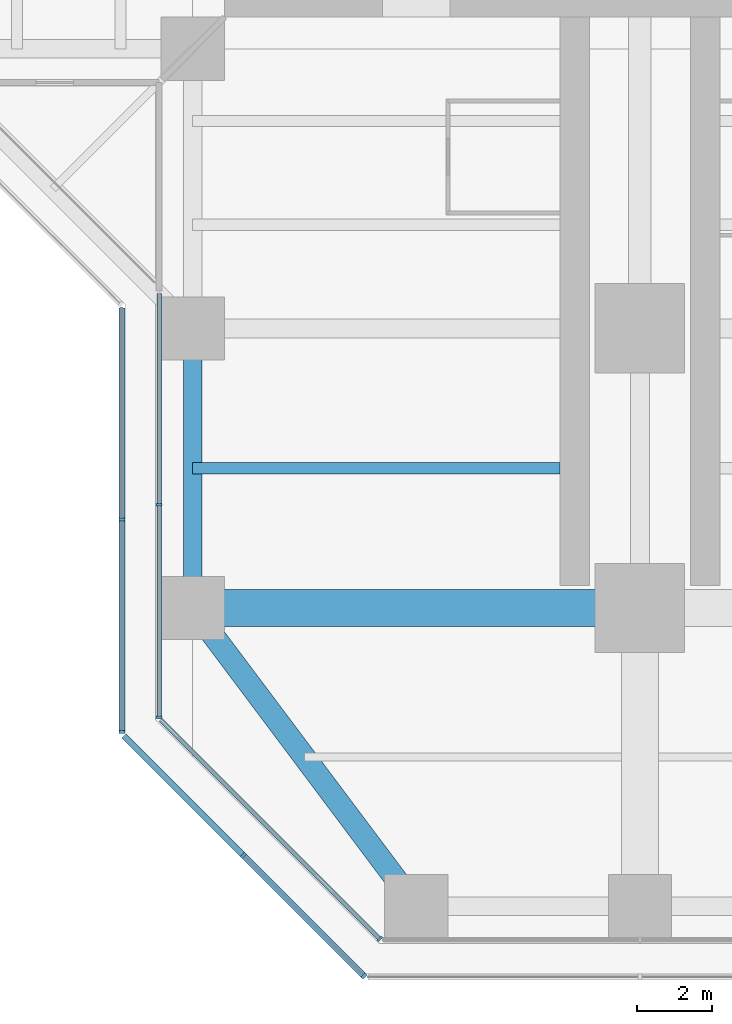
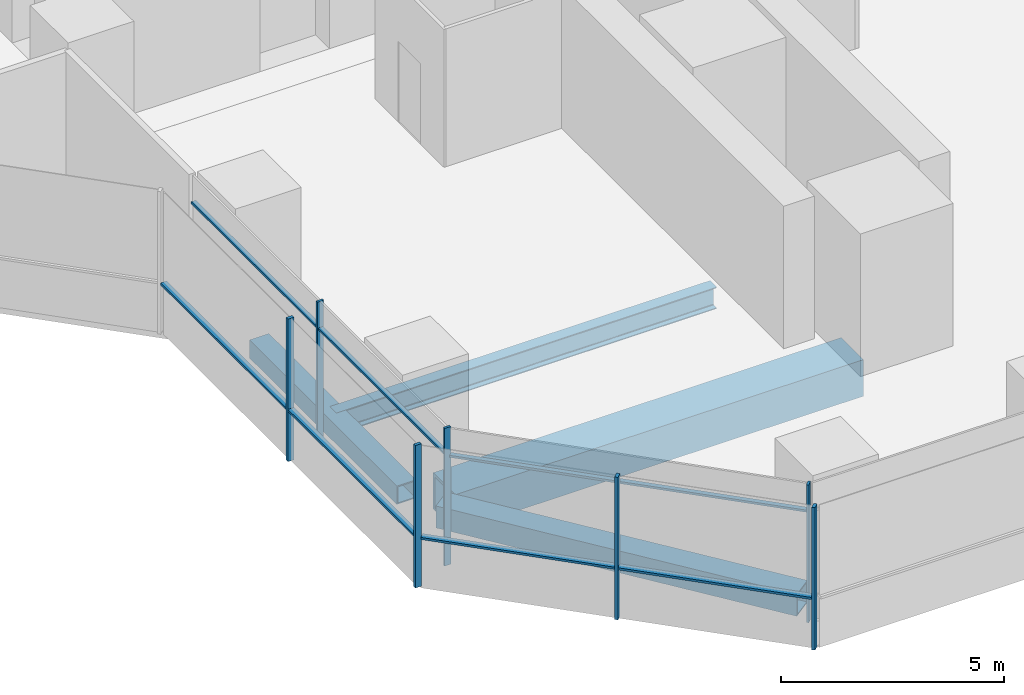
# One storey, part 2 of 22: 14 members, 4 beams, 4 elements without a shape of their own.
"""IFC4 building model written with IfcOpenShell, lengths in metres."""

from ifc_helpers import new_model, si_unit, direction, frame, origin, origin_2d, place, context, subcontext, project, spatial, rectangle, hollow_rectangle, i_section, extrude, material, material_profile, profile_set, type_object, element, aggregate, save


model = new_model("IFC4")

# Units and contexts
model_context = context("Model", 3, precision=1e-05, world=origin(), true_north=direction((0.0, 1.0)))
body_context = subcontext(model_context, "Body", "Model", "MODEL_VIEW")
ifc_project = project(units=[si_unit("LENGTHUNIT", "METRE"), si_unit("AREAUNIT", "SQUARE_METRE"), si_unit("VOLUMEUNIT", "CUBIC_METRE"), si_unit("PLANEANGLEUNIT", "RADIAN"), si_unit("MASSUNIT", "GRAM", prefix="KILO")], contexts=[model_context])

# Site, building, storey
site_placement = place(None, origin())
site = spatial("IfcSite", under=ifc_project, at=site_placement, CompositionType="ELEMENT")
building_placement = place(site_placement, origin())
building = spatial("IfcBuilding", under=site, at=building_placement, Name="Mizan Broadcast Tower", CompositionType="ELEMENT")
storey_placement = place(building_placement, frame((0.0, 0.0, 51.300048828125)))
storey = spatial("IfcBuildingStorey", under=building, at=storey_placement, Name="L09", CompositionType="ELEMENT", Elevation=51.300048828125)

# Beams
ifc_material_1 = material(Name="Steel S355", Category="steel")
ifc_material_profile_1 = material_profile(ifc_material_1, hollow_rectangle(XDim=0.5, YDim=0.5, WallThickness=0.030029296875, at=origin_2d()), Name="BOX 500x500x30")
ifc_profile_set_1 = profile_set([ifc_material_profile_1], Name="Steel S355")
beam_type_1 = type_object("IfcBeamType", Name="EDGE BEAM BOX 500x500x30", PredefinedType="SPANDREL", material=ifc_profile_set_1)
beam_1_placement = place(storey_placement, frame((-12.0, -19.949951171875, -0.380126953125), z_axis=(0.0, -1.0, 0.0), x_axis=(1.0, 0.0, 0.0)))
element("IfcBeam", 1, at=beam_1_placement, inside=storey, type_object=beam_type_1, Name="Edge beam BOX 500x500x30 L09 south arm", PredefinedType="SPANDREL", context=body_context, shape_type="SweptSolid", body=[
    extrude(hollow_rectangle(XDim=0.5, YDim=0.5, WallThickness=0.030029296875, at=origin_2d()), origin(), (0.0, 0.0, 1.0), 6.60009765625),
])
ifc_material_2 = material(Name="Steel S355", Category="steel")
ifc_material_profile_2 = material_profile(ifc_material_2, hollow_rectangle(XDim=0.60009765625, YDim=0.60009765625, WallThickness=0.030029296875, at=origin_2d()), Name="BOX 600x600x30")
ifc_profile_set_2 = profile_set([ifc_material_profile_2], Name="Steel S355")
beam_type_2 = type_object("IfcBeamType", Name="EDGE BEAM BOX 600x600x30", PredefinedType="SPANDREL", material=ifc_profile_set_2)
beam_2_placement = place(storey_placement, frame((-11.639892578125, -27.47998046875, -0.429931640625), z_axis=(0.599982243973, -0.800013316712, 0.0), x_axis=(0.800013316712, 0.599982243973, 0.0)))
element("IfcBeam", 2, at=beam_2_placement, inside=storey, type_object=beam_type_2, Name="Edge beam BOX 600x600x30 L09 south arm", PredefinedType="SPANDREL", context=body_context, shape_type="SweptSolid", body=[
    extrude(hollow_rectangle(XDim=0.60009765625, YDim=0.60009765625, WallThickness=0.030029296875, at=origin_2d()), origin(), (0.0, 0.0, 1.0), 8.7998046875),
])
ifc_material_3 = material(Name="Steel S460", Category="steel")
ifc_material_profile_3 = material_profile(ifc_material_3, hollow_rectangle(XDim=1.0, YDim=1.0, WallThickness=0.080078125, at=origin_2d()), Name="BOX 1000x1000x80")
ifc_profile_set_3 = profile_set([ifc_material_profile_3], Name="Steel S460")
beam_type_3 = type_object("IfcBeamType", Name="GIRDER BOX 1000x1000x80", PredefinedType="BEAM", material=ifc_profile_set_3)
beam_3_placement = place(storey_placement, frame((-11.280029296875, -27.0, -0.630126953125), z_axis=(1.0, 0.0, 0.0), x_axis=(0.0, 1.0, 0.0)))
element("IfcBeam", 3, at=beam_3_placement, inside=storey, type_object=beam_type_3, Name="Girder BOX 1000x1000x80 L09 south arm", PredefinedType="BEAM", context=body_context, shape_type="SweptSolid", body=[
    extrude(hollow_rectangle(XDim=1.0, YDim=1.0, WallThickness=0.080078125, at=origin_2d()), origin(), (0.0, 0.0, 1.0), 10.56005859375),
])

# Curtain wall, members
ifc_material_4 = material(Name="Aluminium framed glazing", Category="aluminium")
curtain_wall_type_1 = type_object("IfcCurtainWallType", Name="INNER SKIN LOW ZONE", PredefinedType="USERDEFINED", material=ifc_material_4)
curtain_wall_1_placement = place(storey_placement, origin())
curtain_wall_1 = element("IfcCurtainWall", 4, at=curtain_wall_1_placement, inside=storey, type_object=curtain_wall_type_1, Name="Inner skin low zone L09 S side", ObjectType="INNER SKIN LOW ZONE", PredefinedType="USERDEFINED")
ifc_material_5 = material(Name="Aluminium, pale anodised", Category="aluminium")
ifc_material_profile_4 = material_profile(ifc_material_5, rectangle(XDim=0.159912109375, YDim=0.06005859375, at=origin_2d()), Name="MULLION 160x60")
ifc_profile_set_4 = profile_set([ifc_material_profile_4], Name="Aluminium, pale anodised")
member_type_1 = type_object("IfcMemberType", Name="INNER SKIN MULLION 60x160", PredefinedType="MULLION", material=ifc_profile_set_4)
member_1_placement = place(storey_placement, frame((-12.89990234375, -24.229248046875, 0.0), z_axis=(0.0, 0.0, 1.0), x_axis=(1.0, 0.0, 0.0)))
member_1 = element("IfcMember", 5, at=member_1_placement, type_object=member_type_1, Name="Inner skin low zone L09 S side mullion 2", PredefinedType="MULLION", context=body_context, shape_type="SweptSolid", body=[
    extrude(rectangle(XDim=0.159912109375, YDim=0.06005859375, at=origin_2d()), origin(), (0.0, 0.0, 1.0), 3.77001953125),
])
member_2_placement = place(storey_placement, frame((-12.89990234375, -29.928466796875, 0.0), z_axis=(0.0, 0.0, 1.0), x_axis=(1.0, 0.0, 0.0)))
member_2 = element("IfcMember", 6, at=member_2_placement, type_object=member_type_1, Name="Inner skin low zone L09 S side mullion 3", PredefinedType="MULLION", context=body_context, shape_type="SweptSolid", body=[
    extrude(rectangle(XDim=0.159912109375, YDim=0.06005859375, at=origin_2d()), origin(), (0.0, 0.0, 1.0), 3.77001953125),
])

# Curtain wall, member
curtain_wall_2_placement = place(storey_placement, origin())
curtain_wall_2 = element("IfcCurtainWall", 7, at=curtain_wall_2_placement, inside=storey, type_object=curtain_wall_type_1, Name="Inner skin low zone L09 S chamfer", ObjectType="INNER SKIN LOW ZONE", PredefinedType="USERDEFINED")
member_3_placement = place(storey_placement, frame((-6.979736328125, -35.87890625, 0.0), z_axis=(0.0, 0.0, 1.0), x_axis=(0.707106781187, 0.707106781187, 0.0)))
member_3 = element("IfcMember", 8, at=member_3_placement, type_object=member_type_1, Name="Inner skin low zone L09 S chamfer mullion 2", PredefinedType="MULLION", context=body_context, shape_type="SweptSolid", body=[
    extrude(rectangle(XDim=0.159912109375, YDim=0.06005859375, at=origin_2d()), origin(), (0.0, 0.0, 1.0), 3.77001953125),
])

# Member
ifc_material_6 = material(Name="Aluminium, pale anodised", Category="aluminium")
ifc_material_profile_5 = material_profile(ifc_material_6, rectangle(XDim=0.1201171875, YDim=0.06005859375, at=origin_2d()), Name="TRANSOM 120x60")
ifc_profile_set_5 = profile_set([ifc_material_profile_5], Name="Aluminium, pale anodised")
member_type_2 = type_object("IfcMemberType", Name="INNER SKIN TRANSOM 60x120", PredefinedType="USERDEFINED", material=ifc_profile_set_5)
member_4_placement = place(storey_placement, frame((-12.89990234375, -18.56005859375, 3.030029296875), z_axis=(0.0, -1.0, 0.0), x_axis=(1.0, 0.0, 0.0)))
member_4 = element("IfcMember", 9, at=member_4_placement, type_object=member_type_2, Name="Inner skin low zone L09 S side transom 1.1", ObjectType="TRANSOM", PredefinedType="USERDEFINED", context=body_context, shape_type="SweptSolid", body=[
    extrude(rectangle(XDim=0.1201171875, YDim=0.06005859375, at=origin_2d()), origin(), (0.0, 0.0, 1.0), 5.63916015625),
])

member_5_placement = place(storey_placement, frame((-12.89990234375, -24.25927734375, 3.030029296875), z_axis=(0.0, -1.0, 0.0), x_axis=(1.0, 0.0, 0.0)))
member_5 = element("IfcMember", 10, at=member_5_placement, type_object=member_type_2, Name="Inner skin low zone L09 S side transom 2.1", ObjectType="TRANSOM", PredefinedType="USERDEFINED", context=body_context, shape_type="SweptSolid", body=[
    extrude(rectangle(XDim=0.1201171875, YDim=0.06005859375, at=origin_2d()), origin(), (0.0, 0.0, 1.0), 5.639404296875),
])

aggregate(curtain_wall_1, [member_1, member_2, member_4, member_5])

member_6_placement = place(storey_placement, frame((-12.857666015625, -30.0009765625, 3.030029296875), z_axis=(0.707106781187, -0.707106781187, 0.0), x_axis=(0.707106781187, 0.707106781187, 0.0)))
member_6 = element("IfcMember", 11, at=member_6_placement, type_object=member_type_2, Name="Inner skin low zone L09 S chamfer transom 1.1", ObjectType="TRANSOM", PredefinedType="USERDEFINED", context=body_context, shape_type="SweptSolid", body=[
    extrude(rectangle(XDim=0.1201171875, YDim=0.06005859375, at=origin_2d()), origin(), (0.0, 0.0, 1.0), 8.28271484375),
])

aggregate(curtain_wall_2, [member_3, member_6])

# Curtain wall, members
ifc_material_7 = material(Name="Aluminium framed glazing", Category="aluminium")
curtain_wall_type_2 = type_object("IfcCurtainWallType", Name="OUTER SKIN", PredefinedType="USERDEFINED", material=ifc_material_7)
curtain_wall_3_placement = place(storey_placement, origin())
curtain_wall_3 = element("IfcCurtainWall", 12, at=curtain_wall_3_placement, inside=storey, type_object=curtain_wall_type_2, Name="Outer skin L09 S side", ObjectType="OUTER SKIN", PredefinedType="USERDEFINED")
ifc_material_8 = material(Name="Aluminium, pale anodised", Category="aluminium")
ifc_material_profile_6 = material_profile(ifc_material_8, rectangle(XDim=0.159912109375, YDim=0.080078125, at=origin_2d()), Name="MULLION 160x80")
ifc_profile_set_6 = profile_set([ifc_material_profile_6], Name="Aluminium, pale anodised")
member_type_3 = type_object("IfcMemberType", Name="OUTER SKIN MULLION 80x160", PredefinedType="MULLION", material=ifc_profile_set_6)
member_7_placement = place(storey_placement, frame((-13.89990234375, -24.622802734375, 0.0), z_axis=(0.0, 0.0, 1.0), x_axis=(1.0, 0.0, 0.0)))
member_7 = element("IfcMember", 13, at=member_7_placement, type_object=member_type_3, Name="Outer skin L09 S side mullion 2", PredefinedType="MULLION", context=body_context, shape_type="SweptSolid", body=[
    extrude(rectangle(XDim=0.159912109375, YDim=0.080078125, at=origin_2d()), origin(), (0.0, 0.0, 1.0), 3.89990234375),
])
member_8_placement = place(storey_placement, frame((-13.89990234375, -30.332763671875, 0.0), z_axis=(0.0, 0.0, 1.0), x_axis=(1.0, 0.0, 0.0)))
member_8 = element("IfcMember", 14, at=member_8_placement, type_object=member_type_3, Name="Outer skin L09 S side mullion 3", PredefinedType="MULLION", context=body_context, shape_type="SweptSolid", body=[
    extrude(rectangle(XDim=0.159912109375, YDim=0.080078125, at=origin_2d()), origin(), (0.0, 0.0, 1.0), 3.89990234375),
])

curtain_wall_4_placement = place(storey_placement, origin())
curtain_wall_4 = element("IfcCurtainWall", 15, at=curtain_wall_4_placement, inside=storey, type_object=curtain_wall_type_2, Name="Outer skin L09 S chamfer", ObjectType="OUTER SKIN", PredefinedType="USERDEFINED")
member_9_placement = place(storey_placement, frame((-10.636474609375, -33.636474609375, 0.0), z_axis=(0.0, 0.0, 1.0), x_axis=(0.707106781187, 0.707106781187, 0.0)))
member_9 = element("IfcMember", 16, at=member_9_placement, type_object=member_type_3, Name="Outer skin L09 S chamfer mullion 2", PredefinedType="MULLION", context=body_context, shape_type="SweptSolid", body=[
    extrude(rectangle(XDim=0.159912109375, YDim=0.080078125, at=origin_2d()), origin(), (0.0, 0.0, 1.0), 3.89990234375),
])
member_10_placement = place(storey_placement, frame((-7.401123046875, -36.871826171875, 0.0), z_axis=(0.0, 0.0, 1.0), x_axis=(0.707106781187, 0.707106781187, 0.0)))
member_10 = element("IfcMember", 17, at=member_10_placement, type_object=member_type_3, Name="Outer skin L09 S chamfer mullion 3", PredefinedType="MULLION", context=body_context, shape_type="SweptSolid", body=[
    extrude(rectangle(XDim=0.159912109375, YDim=0.080078125, at=origin_2d()), origin(), (0.0, 0.0, 1.0), 3.89990234375),
])

# Member
ifc_material_9 = material(Name="Aluminium, pale anodised", Category="aluminium")
ifc_material_profile_7 = material_profile(ifc_material_9, rectangle(XDim=0.159912109375, YDim=0.06005859375, at=origin_2d()), Name="TRANSOM 160x60")
ifc_profile_set_7 = profile_set([ifc_material_profile_7], Name="Aluminium, pale anodised")
member_type_4 = type_object("IfcMemberType", Name="OUTER SKIN TRANSOM 60x160", PredefinedType="USERDEFINED", material=ifc_profile_set_7)
member_11_placement = place(storey_placement, frame((-13.89990234375, -18.952880859375, 1.39990234375), z_axis=(0.0, -1.0, 0.0), x_axis=(1.0, 0.0, 0.0)))
member_11 = element("IfcMember", 18, at=member_11_placement, type_object=member_type_4, Name="Outer skin L09 S side transom 1.1", ObjectType="TRANSOM", PredefinedType="USERDEFINED", context=body_context, shape_type="SweptSolid", body=[
    extrude(rectangle(XDim=0.159912109375, YDim=0.06005859375, at=origin_2d()), origin(), (0.0, 0.0, 1.0), 5.6298828125),
])

member_12_placement = place(storey_placement, frame((-13.89990234375, -24.662841796875, 1.39990234375), z_axis=(0.0, -1.0, 0.0), x_axis=(1.0, 0.0, 0.0)))
member_12 = element("IfcMember", 19, at=member_12_placement, type_object=member_type_4, Name="Outer skin L09 S side transom 2.1", ObjectType="TRANSOM", PredefinedType="USERDEFINED", context=body_context, shape_type="SweptSolid", body=[
    extrude(rectangle(XDim=0.159912109375, YDim=0.06005859375, at=origin_2d()), origin(), (0.0, 0.0, 1.0), 5.6298828125),
])

aggregate(curtain_wall_3, [member_7, member_8, member_11, member_12])

member_13_placement = place(storey_placement, frame((-13.843505859375, -30.429443359375, 1.39990234375), z_axis=(0.707106781187, -0.707106781187, 0.0), x_axis=(0.707106781187, 0.707106781187, 0.0)))
member_13 = element("IfcMember", 20, at=member_13_placement, type_object=member_type_4, Name="Outer skin L09 S chamfer transom 1.1", ObjectType="TRANSOM", PredefinedType="USERDEFINED", context=body_context, shape_type="SweptSolid", body=[
    extrude(rectangle(XDim=0.159912109375, YDim=0.06005859375, at=origin_2d()), origin(), (0.0, 0.0, 1.0), 4.495361328125),
])

member_14_placement = place(storey_placement, frame((-10.608154296875, -33.664794921875, 1.39990234375), z_axis=(0.707106781187, -0.707106781187, 0.0), x_axis=(0.707106781187, 0.707106781187, 0.0)))
member_14 = element("IfcMember", 21, at=member_14_placement, type_object=member_type_4, Name="Outer skin L09 S chamfer transom 2.1", ObjectType="TRANSOM", PredefinedType="USERDEFINED", context=body_context, shape_type="SweptSolid", body=[
    extrude(rectangle(XDim=0.159912109375, YDim=0.06005859375, at=origin_2d()), origin(), (0.0, 0.0, 1.0), 4.495361328125),
])

aggregate(curtain_wall_4, [member_9, member_10, member_13, member_14])

# Beam
ifc_material_10 = material(Name="Steel S355", Category="steel")
ifc_material_profile_8 = material_profile(ifc_material_10, i_section(OverallWidth=0.300048828125, OverallDepth=0.590087890625, WebThickness=0.012939453125, FlangeThickness=0.02490234375, FilletRadius=0.027099609375, at=origin_2d()), Name="HEA 600")
ifc_profile_set_8 = profile_set([ifc_material_profile_8], Name="Steel S355")
beam_type_4 = type_object("IfcBeamType", Name="SECONDARY BEAM HEA 600", PredefinedType="JOIST", material=ifc_profile_set_8)
beam_4_placement = place(storey_placement, frame((-12.0, -23.25, -0.425048828125), z_axis=(1.0, 0.0, 0.0), x_axis=(0.0, 1.0, 0.0)))
element("IfcBeam", 22, at=beam_4_placement, inside=storey, type_object=beam_type_4, Name="Secondary beam HEA 600 L09 south arm", PredefinedType="JOIST", context=body_context, shape_type="SweptSolid", body=[
    extrude(i_section(OverallWidth=0.300048828125, OverallDepth=0.590087890625, WebThickness=0.012939453125, FlangeThickness=0.02490234375, FilletRadius=0.027099609375, at=origin_2d()), origin(), (0.0, 0.0, 1.0), 9.85009765625),
])

save(model, "model.ifc")
